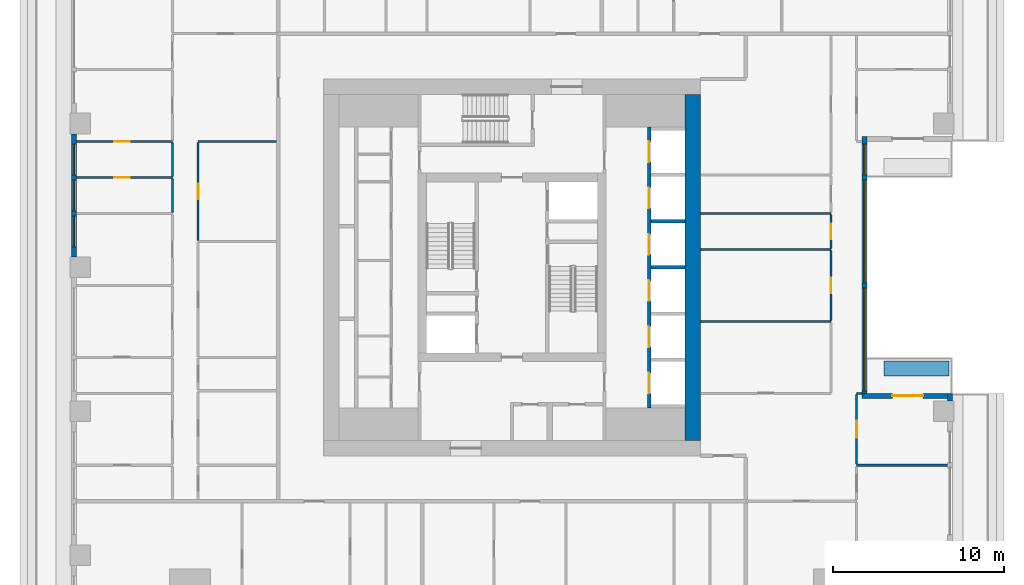
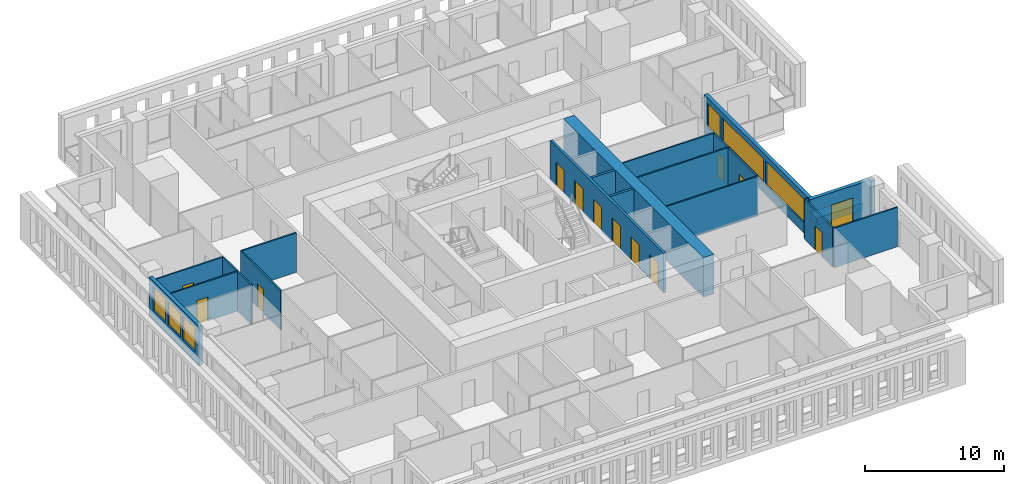
# One storey, part 6 of 16: 23 walls, 13 doors, 6 windows, 19 openings.
"""IFC4 building model written with IfcOpenShell, lengths in metres."""

from ifc_helpers import new_model, si_unit, direction, frame, frame_2d, origin, place, context, subcontext, project, spatial, rectangle, extrude, material, layer, layer_set, type_object, element, fill, save


model = new_model("IFC4")

# Units and contexts
model_context = context("Model", 3, precision=1e-05, world=origin(), true_north=direction((0.0, 1.0)))
body_context = subcontext(model_context, "Body", "Model", "MODEL_VIEW")
ifc_project = project(units=[si_unit("LENGTHUNIT", "METRE"), si_unit("AREAUNIT", "SQUARE_METRE"), si_unit("VOLUMEUNIT", "CUBIC_METRE"), si_unit("PLANEANGLEUNIT", "RADIAN"), si_unit("MASSUNIT", "GRAM", prefix="KILO")], contexts=[model_context])

# Site, building, storey
site_placement = place(None, origin())
site = spatial("IfcSite", under=ifc_project, at=site_placement, CompositionType="ELEMENT")
building_placement = place(site_placement, origin())
building = spatial("IfcBuilding", under=site, at=building_placement, Name="Khepri Terraces", CompositionType="ELEMENT")
storey_placement = place(building_placement, frame((0.0, 0.0, 204.0)))
storey = spatial("IfcBuildingStorey", under=building, at=storey_placement, Name="L48", CompositionType="ELEMENT", Elevation=204.0)

# Wall, openings, doors
ifc_material_1 = material(Name="Concrete C50/60", Category="concrete")
ifc_layer_1 = layer(ifc_material_1, 0.199951171875, Name="Concrete C50/60", Category="concrete")
ifc_layer_set_1 = layer_set([ifc_layer_1], Name="Concrete C50/60")
wall_type_1 = type_object("IfcWallType", Name="Core wall 200 C50/60", PredefinedType="SHEAR", material=ifc_layer_set_1)
wall_1_placement = place(storey_placement, frame((8.0, -8.199951171875, 0.0), z_axis=(0.0, 0.0, 1.0), x_axis=(0.0, 1.0, 0.0)))
wall_1 = element("IfcWall", 1, at=wall_1_placement, inside=storey, type_object=wall_type_1, Name="Core wall SH02 L48", PredefinedType="SHEAR", context=body_context, shape_type="SweptSolid", body=[
    extrude(rectangle(XDim=16.39990234375, YDim=0.199951171875, at=frame_2d((8.199951171875, 0.0))), origin(), (0.0, 0.0, 1.0), 3.47998046875),
])
opening_1_placement = place(wall_1_placement, frame((0.85009765625, 0.0, 0.0)))
opening_1 = element("IfcOpeningElement", 2, at=opening_1_placement, cuts=wall_1, Name="Opening L48-C01", PredefinedType="OPENING", context=body_context, shape_type="SweptSolid", body=[
    extrude(rectangle(XDim=1.199951171875, YDim=2.10009765625, at=frame_2d((0.60009765625, 1.050048828125))), frame((0.0, 0.10986328125, 0.0), z_axis=(0.0, -1.0, 0.0), x_axis=(1.0, 0.0, 0.0)), (0.0, 0.0, 1.0), 0.219970703125),
])
opening_2_placement = place(wall_1_placement, frame((3.550048828125, 0.0, 0.0)))
opening_2 = element("IfcOpeningElement", 3, at=opening_2_placement, cuts=wall_1, Name="Opening L48-C02", PredefinedType="OPENING", context=body_context, shape_type="SweptSolid", body=[
    extrude(rectangle(XDim=1.199951171875, YDim=2.10009765625, at=frame_2d((0.60009765625, 1.050048828125))), frame((0.0, 0.10986328125, 0.0), z_axis=(0.0, -1.0, 0.0), x_axis=(1.0, 0.0, 0.0)), (0.0, 0.0, 1.0), 0.219970703125),
])
opening_3_placement = place(wall_1_placement, frame((6.25, 0.0, 0.0)))
opening_3 = element("IfcOpeningElement", 4, at=opening_3_placement, cuts=wall_1, Name="Opening L48-C03", PredefinedType="OPENING", context=body_context, shape_type="SweptSolid", body=[
    extrude(rectangle(XDim=1.199951171875, YDim=2.10009765625, at=frame_2d((0.60009765625, 1.050048828125))), frame((0.0, 0.10986328125, 0.0), z_axis=(0.0, -1.0, 0.0), x_axis=(1.0, 0.0, 0.0)), (0.0, 0.0, 1.0), 0.219970703125),
])
opening_4_placement = place(wall_1_placement, frame((8.949951171875, 0.0, 0.0)))
opening_4 = element("IfcOpeningElement", 5, at=opening_4_placement, cuts=wall_1, Name="Opening L48-C04", PredefinedType="OPENING", context=body_context, shape_type="SweptSolid", body=[
    extrude(rectangle(XDim=1.199951171875, YDim=2.10009765625, at=frame_2d((0.60009765625, 1.050048828125))), frame((0.0, 0.10986328125, 0.0), z_axis=(0.0, -1.0, 0.0), x_axis=(1.0, 0.0, 0.0)), (0.0, 0.0, 1.0), 0.219970703125),
])
opening_5_placement = place(wall_1_placement, frame((11.64990234375, 0.0, 0.0)))
opening_5 = element("IfcOpeningElement", 6, at=opening_5_placement, cuts=wall_1, Name="Opening L48-C05", PredefinedType="OPENING", context=body_context, shape_type="SweptSolid", body=[
    extrude(rectangle(XDim=1.199951171875, YDim=2.10009765625, at=frame_2d((0.60009765625, 1.050048828125))), frame((0.0, 0.10986328125, 0.0), z_axis=(0.0, -1.0, 0.0), x_axis=(1.0, 0.0, 0.0)), (0.0, 0.0, 1.0), 0.219970703125),
])
opening_6_placement = place(wall_1_placement, frame((14.35009765625, 0.0, 0.0)))
opening_6 = element("IfcOpeningElement", 7, at=opening_6_placement, cuts=wall_1, Name="Opening L48-C06", PredefinedType="OPENING", context=body_context, shape_type="SweptSolid", body=[
    extrude(rectangle(XDim=1.199951171875, YDim=2.10009765625, at=frame_2d((0.60009765625, 1.050048828125))), frame((0.0, 0.10986328125, 0.0), z_axis=(0.0, -1.0, 0.0), x_axis=(1.0, 0.0, 0.0)), (0.0, 0.0, 1.0), 0.219970703125),
])
ifc_material_2 = material(Name="Stainless steel 304", Category="steel")
door_type_1 = type_object("IfcDoorType", Name="DR-CORE-LANDING-1200", OperationType="NOTDEFINED", PredefinedType="DOOR", material=ifc_material_2)
door_1_placement = place(opening_1_placement, origin())
door_1 = element("IfcDoor", 8, at=door_1_placement, inside=storey, type_object=door_type_1, Name="Lift landing door L48-C01", OperationType="SLIDING_TO_LEFT", OverallHeight=2.10009765625, OverallWidth=1.199951171875, PredefinedType="DOOR", context=body_context, shape_type="SweptSolid", body=[
    extrude(rectangle(XDim=1.199951171875, YDim=2.10009765625, at=frame_2d((0.60009765625, 1.050048828125))), frame((0.0, 0.02490234375, 0.0), z_axis=(0.0, -1.0, 0.0), x_axis=(1.0, 0.0, 0.0)), (0.0, 0.0, 1.0), 0.050048828125),
])
fill(opening_1, door_1)
door_2_placement = place(opening_2_placement, origin())
door_2 = element("IfcDoor", 9, at=door_2_placement, inside=storey, type_object=door_type_1, Name="Lift landing door L48-C02", OperationType="SLIDING_TO_LEFT", OverallHeight=2.10009765625, OverallWidth=1.199951171875, PredefinedType="DOOR", context=body_context, shape_type="SweptSolid", body=[
    extrude(rectangle(XDim=1.199951171875, YDim=2.10009765625, at=frame_2d((0.60009765625, 1.050048828125))), frame((0.0, 0.02490234375, 0.0), z_axis=(0.0, -1.0, 0.0), x_axis=(1.0, 0.0, 0.0)), (0.0, 0.0, 1.0), 0.050048828125),
])
fill(opening_2, door_2)
door_3_placement = place(opening_3_placement, origin())
door_3 = element("IfcDoor", 10, at=door_3_placement, inside=storey, type_object=door_type_1, Name="Lift landing door L48-C03", OperationType="SLIDING_TO_LEFT", OverallHeight=2.10009765625, OverallWidth=1.199951171875, PredefinedType="DOOR", context=body_context, shape_type="SweptSolid", body=[
    extrude(rectangle(XDim=1.199951171875, YDim=2.10009765625, at=frame_2d((0.60009765625, 1.050048828125))), frame((0.0, 0.02490234375, 0.0), z_axis=(0.0, -1.0, 0.0), x_axis=(1.0, 0.0, 0.0)), (0.0, 0.0, 1.0), 0.050048828125),
])
fill(opening_3, door_3)
door_4_placement = place(opening_4_placement, origin())
door_4 = element("IfcDoor", 11, at=door_4_placement, inside=storey, type_object=door_type_1, Name="Lift landing door L48-C04", OperationType="SLIDING_TO_LEFT", OverallHeight=2.10009765625, OverallWidth=1.199951171875, PredefinedType="DOOR", context=body_context, shape_type="SweptSolid", body=[
    extrude(rectangle(XDim=1.199951171875, YDim=2.10009765625, at=frame_2d((0.60009765625, 1.050048828125))), frame((0.0, 0.02490234375, 0.0), z_axis=(0.0, -1.0, 0.0), x_axis=(1.0, 0.0, 0.0)), (0.0, 0.0, 1.0), 0.050048828125),
])
fill(opening_4, door_4)
door_5_placement = place(opening_5_placement, origin())
door_5 = element("IfcDoor", 12, at=door_5_placement, inside=storey, type_object=door_type_1, Name="Lift landing door L48-C05", OperationType="SLIDING_TO_LEFT", OverallHeight=2.10009765625, OverallWidth=1.199951171875, PredefinedType="DOOR", context=body_context, shape_type="SweptSolid", body=[
    extrude(rectangle(XDim=1.199951171875, YDim=2.10009765625, at=frame_2d((0.60009765625, 1.050048828125))), frame((0.0, 0.02490234375, 0.0), z_axis=(0.0, -1.0, 0.0), x_axis=(1.0, 0.0, 0.0)), (0.0, 0.0, 1.0), 0.050048828125),
])
fill(opening_5, door_5)
door_6_placement = place(opening_6_placement, origin())
door_6 = element("IfcDoor", 13, at=door_6_placement, inside=storey, type_object=door_type_1, Name="Lift landing door L48-C06", OperationType="SLIDING_TO_LEFT", OverallHeight=2.10009765625, OverallWidth=1.199951171875, PredefinedType="DOOR", context=body_context, shape_type="SweptSolid", body=[
    extrude(rectangle(XDim=1.199951171875, YDim=2.10009765625, at=frame_2d((0.60009765625, 1.050048828125))), frame((0.0, 0.02490234375, 0.0), z_axis=(0.0, -1.0, 0.0), x_axis=(1.0, 0.0, 0.0)), (0.0, 0.0, 1.0), 0.050048828125),
])
fill(opening_6, door_6)

# Walls
for number, where, z_axis, x_axis, name in (
    (14, (8.10009765625, 0.0, 0.0), (0.0, 0.0, 1.0), (1.0, 0.0, 0.0), "Core wall SH09 L48"),
    (15, (8.10009765625, 2.699951171875, 0.0), (0.0, 0.0, 1.0), (1.0, 0.0, 0.0), "Core wall SH13 L48"),
):
    element("IfcWall", number, at=place(storey_placement, frame(where, z_axis=z_axis, x_axis=x_axis)), inside=storey, type_object=wall_type_1, Name=name, PredefinedType="SHEAR", context=body_context, shape_type="SweptSolid", body=[
        extrude(rectangle(XDim=2.0, YDim=0.199951171875, at=frame_2d((1.0, 0.0))), origin(), (0.0, 0.0, 1.0), 3.47998046875),
    ])
ifc_layer_2 = layer(ifc_material_1, 0.89990234375, Name="Concrete C50/60", Category="concrete")
ifc_layer_set_2 = layer_set([ifc_layer_2], Name="Concrete C50/60")
wall_type_2 = type_object("IfcWallType", Name="Core wall 900 C50/60", PredefinedType="SHEAR", material=ifc_layer_set_2)
wall_2_placement = place(storey_placement, frame((10.550048828125, -10.10009765625, 0.0), z_axis=(0.0, 0.0, 1.0), x_axis=(0.0, 1.0, 0.0)))
element("IfcWall", 16, at=wall_2_placement, inside=storey, type_object=wall_type_2, Name="Core wall OW-E L48", PredefinedType="SHEAR", context=body_context, shape_type="SweptSolid", body=[
    extrude(rectangle(XDim=20.2001953125, YDim=0.89990234375, at=frame_2d((10.10009765625, 0.0))), origin(), (0.0, 0.0, 1.0), 3.47998046875),
])
ifc_material_3 = material(Name="Precast concrete C50/60 warm stone", Category="masonry")
ifc_layer_3 = layer(ifc_material_3, 0.300048828125, Name="Precast concrete C50/60 warm stone", Category="masonry")
ifc_layer_set_3 = layer_set([ifc_layer_3], Name="Precast concrete C50/60 warm stone")
wall_type_3 = type_object("IfcWallType", Name="WL-EXT-PRECAST-300", PredefinedType="STANDARD", material=ifc_layer_set_3)
wall_3_placement = place(storey_placement, frame((25.570068359375, -7.800048828125, 0.0), z_axis=(0.0, 0.0, 1.0), x_axis=(0.0, 1.0, 0.0)))
element("IfcWall", 17, at=wall_3_placement, inside=storey, type_object=wall_type_3, Name="External wall L48 E", PredefinedType="STANDARD", context=body_context, shape_type="SweptSolid", body=[
    extrude(rectangle(XDim=0.449951171875, YDim=0.300048828125, at=frame_2d((0.22509765625, 0.0))), origin(), (0.0, 0.0, 1.0), 3.47998046875),
])

# Wall, opening, door
wall_4_placement = place(storey_placement, frame((25.419921875, -7.5, 0.0), z_axis=(0.0, 0.0, 1.0), x_axis=(-1.0, 0.0, 0.0)))
wall_4 = element("IfcWall", 18, at=wall_4_placement, inside=storey, type_object=wall_type_3, Name="External wall L48 N", PredefinedType="STANDARD", context=body_context, shape_type="SweptSolid", body=[
    extrude(rectangle(XDim=5.0, YDim=0.300048828125, at=frame_2d((2.5, 0.0))), origin(), (0.0, 0.0, 1.0), 3.47998046875),
])
opening_7_placement = place(wall_4_placement, frame((1.419921875, 0.0, 0.0)))
opening_7 = element("IfcOpeningElement", 19, at=opening_7_placement, cuts=wall_4, Name="Opening ED-L48-04", PredefinedType="OPENING", context=body_context, shape_type="SweptSolid", body=[
    extrude(rectangle(XDim=1.800048828125, YDim=2.39990234375, at=frame_2d((0.89990234375, 1.199951171875))), frame((0.0, 0.16015625, 0.0), z_axis=(0.0, -1.0, 0.0), x_axis=(1.0, 0.0, 0.0)), (0.0, 0.0, 1.0), 0.320068359375),
])
ifc_material_4 = material(Name="Anodised aluminium bronze glazed door", Category="aluminium")
door_type_2 = type_object("IfcDoorType", Name="DR-BAL-SLIDE-1800x2400", OperationType="NOTDEFINED", PredefinedType="DOOR", material=ifc_material_4)
door_7_placement = place(opening_7_placement, origin())
door_7 = element("IfcDoor", 20, at=door_7_placement, inside=storey, type_object=door_type_2, Name="Balcony door L48 N", OperationType="SLIDING_TO_LEFT", OverallHeight=2.39990234375, OverallWidth=1.800048828125, PredefinedType="DOOR", context=body_context, shape_type="SweptSolid", body=[
    extrude(rectangle(XDim=1.800048828125, YDim=2.39990234375, at=frame_2d((0.89990234375, 1.199951171875))), frame((0.0, 0.02490234375, 0.0), z_axis=(0.0, -1.0, 0.0), x_axis=(1.0, 0.0, 0.0)), (0.0, 0.0, 1.0), 0.050048828125),
])
fill(opening_7, door_7)

# Wall, openings, windows
wall_5_placement = place(storey_placement, frame((20.570068359375, -7.35009765625, 0.0), z_axis=(0.0, 0.0, 1.0), x_axis=(0.0, 1.0, 0.0)))
wall_5 = element("IfcWall", 21, at=wall_5_placement, inside=storey, type_object=wall_type_3, Name="External wall L48 E", PredefinedType="STANDARD", context=body_context, shape_type="SweptSolid", body=[
    extrude(rectangle(XDim=15.0, YDim=0.300048828125, at=frame_2d((7.5, 0.0))), origin(), (0.0, 0.0, 1.0), 3.47998046875),
])
opening_8_placement = place(wall_5_placement, frame((0.14990234375, 0.0, 0.89990234375)))
opening_8 = element("IfcOpeningElement", 22, at=opening_8_placement, cuts=wall_5, Name="Opening W3", PredefinedType="OPENING", context=body_context, shape_type="SweptSolid", body=[
    extrude(rectangle(XDim=6.0, YDim=2.10009765625, at=frame_2d((3.0, 1.050048828125))), frame((0.0, 0.16015625, 0.0), z_axis=(0.0, -1.0, 0.0), x_axis=(1.0, 0.0, 0.0)), (0.0, 0.0, 1.0), 0.320068359375),
])
opening_9_placement = place(wall_5_placement, frame((6.449951171875, 0.0, 0.89990234375)))
opening_9 = element("IfcOpeningElement", 23, at=opening_9_placement, cuts=wall_5, Name="Opening W3", PredefinedType="OPENING", context=body_context, shape_type="SweptSolid", body=[
    extrude(rectangle(XDim=6.0, YDim=2.10009765625, at=frame_2d((3.0, 1.050048828125))), frame((0.0, 0.16015625, 0.0), z_axis=(0.0, -1.0, 0.0), x_axis=(1.0, 0.0, 0.0)), (0.0, 0.0, 1.0), 0.320068359375),
])
opening_10_placement = place(wall_5_placement, frame((12.75, 0.0, 0.89990234375)))
opening_10 = element("IfcOpeningElement", 24, at=opening_10_placement, cuts=wall_5, Name="Opening W1", PredefinedType="OPENING", context=body_context, shape_type="SweptSolid", body=[
    extrude(rectangle(XDim=1.800048828125, YDim=2.10009765625, at=frame_2d((0.89990234375, 1.050048828125))), frame((0.0, 0.16015625, 0.0), z_axis=(0.0, -1.0, 0.0), x_axis=(1.0, 0.0, 0.0)), (0.0, 0.0, 1.0), 0.320068359375),
])
ifc_material_5 = material(Name="Clear glass", Category="glass")
window_type_1 = type_object("IfcWindowType", Name="WIN-RES-1800x2100", PartitioningType="SINGLE_PANEL", PredefinedType="WINDOW", material=ifc_material_5)
window_1_placement = place(opening_10_placement, origin())
window_1 = element("IfcWindow", 25, at=window_1_placement, inside=storey, type_object=window_type_1, Name="Window L48 E", OverallHeight=2.10009765625, OverallWidth=1.800048828125, PartitioningType="SINGLE_PANEL", PredefinedType="WINDOW", context=body_context, shape_type="SweptSolid", body=[
    extrude(rectangle(XDim=1.800048828125, YDim=2.10009765625, at=frame_2d((0.89990234375, 1.050048828125))), frame((0.0, 0.030029296875, 0.0), z_axis=(0.0, -1.0, 0.0), x_axis=(1.0, 0.0, 0.0)), (0.0, 0.0, 1.0), 0.06005859375),
])
fill(opening_10, window_1)
window_type_2 = type_object("IfcWindowType", Name="WIN-RES-6000x2100", PartitioningType="SINGLE_PANEL", PredefinedType="WINDOW", material=ifc_material_5)
window_2_placement = place(opening_8_placement, origin())
window_2 = element("IfcWindow", 26, at=window_2_placement, inside=storey, type_object=window_type_2, Name="Window L48 E", OverallHeight=2.10009765625, OverallWidth=6.0, PartitioningType="SINGLE_PANEL", PredefinedType="WINDOW", context=body_context, shape_type="SweptSolid", body=[
    extrude(rectangle(XDim=6.0, YDim=2.10009765625, at=frame_2d((3.0, 1.050048828125))), frame((0.0, 0.030029296875, 0.0), z_axis=(0.0, -1.0, 0.0), x_axis=(1.0, 0.0, 0.0)), (0.0, 0.0, 1.0), 0.06005859375),
])
fill(opening_8, window_2)
window_3_placement = place(opening_9_placement, origin())
window_3 = element("IfcWindow", 27, at=window_3_placement, inside=storey, type_object=window_type_2, Name="Window L48 E", OverallHeight=2.10009765625, OverallWidth=6.0, PartitioningType="SINGLE_PANEL", PredefinedType="WINDOW", context=body_context, shape_type="SweptSolid", body=[
    extrude(rectangle(XDim=6.0, YDim=2.10009765625, at=frame_2d((3.0, 1.050048828125))), frame((0.0, 0.030029296875, 0.0), z_axis=(0.0, -1.0, 0.0), x_axis=(1.0, 0.0, 0.0)), (0.0, 0.0, 1.0), 0.06005859375),
])
fill(opening_9, window_3)

wall_6_placement = place(storey_placement, frame((-25.570068359375, 7.800048828125, 0.0), z_axis=(0.0, 0.0, 1.0), x_axis=(0.0, -1.0, 0.0)))
wall_6 = element("IfcWall", 28, at=wall_6_placement, inside=storey, type_object=wall_type_3, Name="External wall L48 W", PredefinedType="STANDARD", context=body_context, shape_type="SweptSolid", body=[
    extrude(rectangle(XDim=7.199951171875, YDim=0.300048828125, at=frame_2d((3.60009765625, 0.0))), origin(), (0.0, 0.0, 1.0), 3.47998046875),
])
opening_11_placement = place(wall_6_placement, frame((0.60009765625, 0.0, 0.89990234375)))
opening_11 = element("IfcOpeningElement", 29, at=opening_11_placement, cuts=wall_6, Name="Opening W1", PredefinedType="OPENING", context=body_context, shape_type="SweptSolid", body=[
    extrude(rectangle(XDim=1.800048828125, YDim=2.10009765625, at=frame_2d((0.89990234375, 1.050048828125))), frame((0.0, 0.16015625, 0.0), z_axis=(0.0, -1.0, 0.0), x_axis=(1.0, 0.0, 0.0)), (0.0, 0.0, 1.0), 0.320068359375),
])
opening_12_placement = place(wall_6_placement, frame((2.699951171875, 0.0, 0.89990234375)))
opening_12 = element("IfcOpeningElement", 30, at=opening_12_placement, cuts=wall_6, Name="Opening W1", PredefinedType="OPENING", context=body_context, shape_type="SweptSolid", body=[
    extrude(rectangle(XDim=1.800048828125, YDim=2.10009765625, at=frame_2d((0.89990234375, 1.050048828125))), frame((0.0, 0.16015625, 0.0), z_axis=(0.0, -1.0, 0.0), x_axis=(1.0, 0.0, 0.0)), (0.0, 0.0, 1.0), 0.320068359375),
])
opening_13_placement = place(wall_6_placement, frame((4.800048828125, 0.0, 0.89990234375)))
opening_13 = element("IfcOpeningElement", 31, at=opening_13_placement, cuts=wall_6, Name="Opening W1", PredefinedType="OPENING", context=body_context, shape_type="SweptSolid", body=[
    extrude(rectangle(XDim=1.800048828125, YDim=2.10009765625, at=frame_2d((0.89990234375, 1.050048828125))), frame((0.0, 0.16015625, 0.0), z_axis=(0.0, -1.0, 0.0), x_axis=(1.0, 0.0, 0.0)), (0.0, 0.0, 1.0), 0.320068359375),
])
window_4_placement = place(opening_11_placement, origin())
window_4 = element("IfcWindow", 32, at=window_4_placement, inside=storey, type_object=window_type_1, Name="Window L48 W", OverallHeight=2.10009765625, OverallWidth=1.800048828125, PartitioningType="SINGLE_PANEL", PredefinedType="WINDOW", context=body_context, shape_type="SweptSolid", body=[
    extrude(rectangle(XDim=1.800048828125, YDim=2.10009765625, at=frame_2d((0.89990234375, 1.050048828125))), frame((0.0, 0.030029296875, 0.0), z_axis=(0.0, -1.0, 0.0), x_axis=(1.0, 0.0, 0.0)), (0.0, 0.0, 1.0), 0.06005859375),
])
fill(opening_11, window_4)
window_5_placement = place(opening_12_placement, origin())
window_5 = element("IfcWindow", 33, at=window_5_placement, inside=storey, type_object=window_type_1, Name="Window L48 W", OverallHeight=2.10009765625, OverallWidth=1.800048828125, PartitioningType="SINGLE_PANEL", PredefinedType="WINDOW", context=body_context, shape_type="SweptSolid", body=[
    extrude(rectangle(XDim=1.800048828125, YDim=2.10009765625, at=frame_2d((0.89990234375, 1.050048828125))), frame((0.0, 0.030029296875, 0.0), z_axis=(0.0, -1.0, 0.0), x_axis=(1.0, 0.0, 0.0)), (0.0, 0.0, 1.0), 0.06005859375),
])
fill(opening_12, window_5)
window_6_placement = place(opening_13_placement, origin())
window_6 = element("IfcWindow", 34, at=window_6_placement, inside=storey, type_object=window_type_1, Name="Window L48 W", OverallHeight=2.10009765625, OverallWidth=1.800048828125, PartitioningType="SINGLE_PANEL", PredefinedType="WINDOW", context=body_context, shape_type="SweptSolid", body=[
    extrude(rectangle(XDim=1.800048828125, YDim=2.10009765625, at=frame_2d((0.89990234375, 1.050048828125))), frame((0.0, 0.030029296875, 0.0), z_axis=(0.0, -1.0, 0.0), x_axis=(1.0, 0.0, 0.0)), (0.0, 0.0, 1.0), 0.06005859375),
])
fill(opening_13, window_6)

# Wall
ifc_material_6 = material(Name="Gypsum plasterboard partition")
ifc_layer_4 = layer(ifc_material_6, 0.1201171875, Name="Gypsum plasterboard partition")
ifc_layer_set_4 = layer_set([ifc_layer_4], Name="Gypsum plasterboard partition")
wall_type_4 = type_object("IfcWallType", Name="WL-PART-120", PredefinedType="PARTITIONING", material=ifc_layer_set_4)
wall_7_placement = place(storey_placement, frame((20.1201171875, -11.550048828125, 0.0), z_axis=(0.0, 0.0, 1.0), x_axis=(1.0, 0.0, 0.0)))
element("IfcWall", 35, at=wall_7_placement, inside=storey, type_object=wall_type_4, Name="Partition P-032 L48", PredefinedType="PARTITIONING", context=body_context, shape_type="SweptSolid", body=[
    extrude(rectangle(XDim=5.2998046875, YDim=0.1201171875, at=frame_2d((2.64990234375, 0.0))), origin(), (0.0, 0.0, 1.0), 3.47998046875),
])

# Wall, opening, door
wall_8_placement = place(storey_placement, frame((20.1201171875, -11.489990234375, 0.0), z_axis=(0.0, 0.0, 1.0), x_axis=(0.0, 1.0, 0.0)))
wall_8 = element("IfcWall", 36, at=wall_8_placement, inside=storey, type_object=wall_type_4, Name="Partition P-035 L48", PredefinedType="PARTITIONING", context=body_context, shape_type="SweptSolid", body=[
    extrude(rectangle(XDim=4.080078125, YDim=0.1201171875, at=frame_2d((2.0400390625, 0.0))), origin(), (0.0, 0.0, 1.0), 3.47998046875),
])
opening_14_placement = place(wall_8_placement, frame((1.5400390625, 0.0, 0.0)))
opening_14 = element("IfcOpeningElement", 37, at=opening_14_placement, cuts=wall_8, Name="Opening D2", PredefinedType="OPENING", context=body_context, shape_type="SweptSolid", body=[
    extrude(rectangle(XDim=1.0, YDim=2.10009765625, at=frame_2d((0.5, 1.050048828125))), frame((0.0, 0.070068359375, 0.0), z_axis=(0.0, -1.0, 0.0), x_axis=(1.0, 0.0, 0.0)), (0.0, 0.0, 1.0), 0.14013671875),
])
ifc_material_7 = material(Name="Timber door leaf, living room door", Category="wood")
door_type_3 = type_object("IfcDoorType", Name="DR-INT-1000", OperationType="NOTDEFINED", PredefinedType="DOOR", material=ifc_material_7)
door_8_placement = place(opening_14_placement, frame((1.0, 0.0, 0.0), z_axis=(0.0, 0.0, 1.0), x_axis=(-1.0, 0.0, 0.0)))
door_8 = element("IfcDoor", 38, at=door_8_placement, inside=storey, type_object=door_type_3, Name="Door Sun Lounge", OperationType="SINGLE_SWING_LEFT", OverallHeight=2.10009765625, OverallWidth=1.0, PredefinedType="DOOR", context=body_context, shape_type="SweptSolid", body=[
    extrude(rectangle(XDim=1.0, YDim=2.10009765625, at=frame_2d((0.5, 1.050048828125))), frame((0.0, 0.02490234375, 0.0), z_axis=(0.0, -1.0, 0.0), x_axis=(1.0, 0.0, 0.0)), (0.0, 0.0, 1.0), 0.050048828125),
])
fill(opening_14, door_8)

# Walls
wall_9_placement = place(storey_placement, frame((20.1201171875, -7.35009765625, 0.0), z_axis=(0.0, 0.0, 1.0), x_axis=(1.0, 0.0, 0.0)))
element("IfcWall", 39, at=wall_9_placement, inside=storey, type_object=wall_type_4, Name="Partition P-039 L48", PredefinedType="PARTITIONING", context=body_context, shape_type="SweptSolid", body=[
    extrude(rectangle(XDim=0.2998046875, YDim=0.1201171875, at=frame_2d((0.14990234375, 0.0))), origin(), (0.0, 0.0, 1.0), 3.47998046875),
])
wall_10_placement = place(storey_placement, frame((11.0, -3.14990234375, 0.0), z_axis=(0.0, 0.0, 1.0), x_axis=(1.0, 0.0, 0.0)))
element("IfcWall", 40, at=wall_10_placement, inside=storey, type_object=wall_type_4, Name="Partition P-048 L48", PredefinedType="PARTITIONING", context=body_context, shape_type="SweptSolid", body=[
    extrude(rectangle(XDim=7.6201171875, YDim=0.1201171875, at=frame_2d((3.81005859375, 0.0))), origin(), (0.0, 0.0, 1.0), 3.47998046875),
])

# Wall, opening, door
wall_11_placement = place(storey_placement, frame((18.6201171875, -3.090087890625, 0.0), z_axis=(0.0, 0.0, 1.0), x_axis=(0.0, 1.0, 0.0)))
wall_11 = element("IfcWall", 41, at=wall_11_placement, inside=storey, type_object=wall_type_4, Name="Partition P-049 L48", PredefinedType="PARTITIONING", context=body_context, shape_type="SweptSolid", body=[
    extrude(rectangle(XDim=4.080078125, YDim=0.1201171875, at=frame_2d((2.0400390625, 0.0))), origin(), (0.0, 0.0, 1.0), 3.47998046875),
])
opening_15_placement = place(wall_11_placement, frame((1.590087890625, 0.0, 0.0)))
opening_15 = element("IfcOpeningElement", 42, at=opening_15_placement, cuts=wall_11, Name="Opening D3", PredefinedType="OPENING", context=body_context, shape_type="SweptSolid", body=[
    extrude(rectangle(XDim=0.89990234375, YDim=2.10009765625, at=frame_2d((0.449951171875, 1.050048828125))), frame((0.0, 0.070068359375, 0.0), z_axis=(0.0, -1.0, 0.0), x_axis=(1.0, 0.0, 0.0)), (0.0, 0.0, 1.0), 0.14013671875),
])
ifc_material_8 = material(Name="Timber door leaf", Category="wood")
door_type_4 = type_object("IfcDoorType", Name="DR-INT-900", OperationType="NOTDEFINED", PredefinedType="DOOR", material=ifc_material_8)
door_9_placement = place(opening_15_placement, origin())
door_9 = element("IfcDoor", 43, at=door_9_placement, inside=storey, type_object=door_type_4, Name="Door Staff Bedroom", OperationType="SINGLE_SWING_RIGHT", OverallHeight=2.10009765625, OverallWidth=0.89990234375, PredefinedType="DOOR", context=body_context, shape_type="SweptSolid", body=[
    extrude(rectangle(XDim=0.89990234375, YDim=2.10009765625, at=frame_2d((0.449951171875, 1.050048828125))), frame((0.0, 0.02490234375, 0.0), z_axis=(0.0, -1.0, 0.0), x_axis=(1.0, 0.0, 0.0)), (0.0, 0.0, 1.0), 0.050048828125),
])
fill(opening_15, door_9)

# Wall
wall_12_placement = place(storey_placement, frame((11.0, 1.050048828125, 0.0), z_axis=(0.0, 0.0, 1.0), x_axis=(1.0, 0.0, 0.0)))
element("IfcWall", 44, at=wall_12_placement, inside=storey, type_object=wall_type_4, Name="Partition P-052 L48", PredefinedType="PARTITIONING", context=body_context, shape_type="SweptSolid", body=[
    extrude(rectangle(XDim=7.6201171875, YDim=0.1201171875, at=frame_2d((3.81005859375, 0.0))), origin(), (0.0, 0.0, 1.0), 3.47998046875),
])

# Wall, opening, door
wall_13_placement = place(storey_placement, frame((18.6201171875, 1.110107421875, 0.0), z_axis=(0.0, 0.0, 1.0), x_axis=(0.0, 1.0, 0.0)))
wall_13 = element("IfcWall", 45, at=wall_13_placement, inside=storey, type_object=wall_type_4, Name="Partition P-053 L48", PredefinedType="PARTITIONING", context=body_context, shape_type="SweptSolid", body=[
    extrude(rectangle(XDim=1.97998046875, YDim=0.1201171875, at=frame_2d((0.989990234375, 0.0))), origin(), (0.0, 0.0, 1.0), 3.47998046875),
])
opening_16_placement = place(wall_13_placement, frame((0.5400390625, 0.0, 0.0)))
opening_16 = element("IfcOpeningElement", 46, at=opening_16_placement, cuts=wall_13, Name="Opening D4", PredefinedType="OPENING", context=body_context, shape_type="SweptSolid", body=[
    extrude(rectangle(XDim=0.89990234375, YDim=2.10009765625, at=frame_2d((0.449951171875, 1.050048828125))), frame((0.0, 0.070068359375, 0.0), z_axis=(0.0, -1.0, 0.0), x_axis=(1.0, 0.0, 0.0)), (0.0, 0.0, 1.0), 0.14013671875),
])
ifc_material_9 = material(Name="Timber door leaf, moisture resistant", Category="wood")
door_type_5 = type_object("IfcDoorType", Name="DR-WET-900", OperationType="NOTDEFINED", PredefinedType="DOOR", material=ifc_material_9)
door_10_placement = place(opening_16_placement, origin())
door_10 = element("IfcDoor", 47, at=door_10_placement, inside=storey, type_object=door_type_5, Name="Door Powder Room", OperationType="SINGLE_SWING_RIGHT", OverallHeight=2.10009765625, OverallWidth=0.89990234375, PredefinedType="DOOR", context=body_context, shape_type="SweptSolid", body=[
    extrude(rectangle(XDim=0.89990234375, YDim=2.10009765625, at=frame_2d((0.449951171875, 1.050048828125))), frame((0.0, 0.02490234375, 0.0), z_axis=(0.0, -1.0, 0.0), x_axis=(1.0, 0.0, 0.0)), (0.0, 0.0, 1.0), 0.050048828125),
])
fill(opening_16, door_10)

wall_14_placement = place(storey_placement, frame((-18.320068359375, 1.56005859375, 0.0), z_axis=(0.0, 0.0, 1.0), x_axis=(0.0, 1.0, 0.0)))
wall_14 = element("IfcWall", 48, at=wall_14_placement, inside=storey, type_object=wall_type_4, Name="Partition P-055 L48", PredefinedType="PARTITIONING", context=body_context, shape_type="SweptSolid", body=[
    extrude(rectangle(XDim=5.72998046875, YDim=0.1201171875, at=frame_2d((2.864990234375, 0.0))), origin(), (0.0, 0.0, 1.0), 3.47998046875),
])
opening_17_placement = place(wall_14_placement, frame((2.4150390625, 0.0, 0.0)))
opening_17 = element("IfcOpeningElement", 49, at=opening_17_placement, cuts=wall_14, Name="Opening D3", PredefinedType="OPENING", context=body_context, shape_type="SweptSolid", body=[
    extrude(rectangle(XDim=0.89990234375, YDim=2.10009765625, at=frame_2d((0.449951171875, 1.050048828125))), frame((0.0, 0.070068359375, 0.0), z_axis=(0.0, -1.0, 0.0), x_axis=(1.0, 0.0, 0.0)), (0.0, 0.0, 1.0), 0.14013671875),
])
door_11_placement = place(opening_17_placement, frame((0.89990234375, 0.0, 0.0), z_axis=(0.0, 0.0, 1.0), x_axis=(-1.0, 0.0, 0.0)))
door_11 = element("IfcDoor", 50, at=door_11_placement, inside=storey, type_object=door_type_4, Name="Door Kitchen", OperationType="SINGLE_SWING_RIGHT", OverallHeight=2.10009765625, OverallWidth=0.89990234375, PredefinedType="DOOR", context=body_context, shape_type="SweptSolid", body=[
    extrude(rectangle(XDim=0.89990234375, YDim=2.10009765625, at=frame_2d((0.449951171875, 1.050048828125))), frame((0.0, 0.02490234375, 0.0), z_axis=(0.0, -1.0, 0.0), x_axis=(1.0, 0.0, 0.0)), (0.0, 0.0, 1.0), 0.050048828125),
])
fill(opening_17, door_11)

# Walls
wall_15_placement = place(storey_placement, frame((11.0, 3.14990234375, 0.0), z_axis=(0.0, 0.0, 1.0), x_axis=(1.0, 0.0, 0.0)))
element("IfcWall", 51, at=wall_15_placement, inside=storey, type_object=wall_type_4, Name="Partition P-057 L48", PredefinedType="PARTITIONING", context=body_context, shape_type="SweptSolid", body=[
    extrude(rectangle(XDim=7.6201171875, YDim=0.1201171875, at=frame_2d((3.81005859375, 0.0))), origin(), (0.0, 0.0, 1.0), 3.47998046875),
])
wall_16_placement = place(storey_placement, frame((-19.820068359375, 3.2099609375, 0.0), z_axis=(0.0, 0.0, 1.0), x_axis=(0.0, 1.0, 0.0)))
element("IfcWall", 52, at=wall_16_placement, inside=storey, type_object=wall_type_4, Name="Partition P-058 L48", PredefinedType="PARTITIONING", context=body_context, shape_type="SweptSolid", body=[
    extrude(rectangle(XDim=1.97998046875, YDim=0.1201171875, at=frame_2d((0.989990234375, 0.0))), origin(), (0.0, 0.0, 1.0), 3.47998046875),
])

# Wall, opening, door
wall_17_placement = place(storey_placement, frame((-25.419921875, 5.25, 0.0), z_axis=(0.0, 0.0, 1.0), x_axis=(1.0, 0.0, 0.0)))
wall_17 = element("IfcWall", 53, at=wall_17_placement, inside=storey, type_object=wall_type_4, Name="Partition P-060 L48", PredefinedType="PARTITIONING", context=body_context, shape_type="SweptSolid", body=[
    extrude(rectangle(XDim=5.599853515625, YDim=0.1201171875, at=frame_2d((2.7998046875, 0.0))), origin(), (0.0, 0.0, 1.0), 3.47998046875),
])
opening_18_placement = place(wall_17_placement, frame((2.199951171875, 0.0, 0.0)))
opening_18 = element("IfcOpeningElement", 54, at=opening_18_placement, cuts=wall_17, Name="Opening D4", PredefinedType="OPENING", context=body_context, shape_type="SweptSolid", body=[
    extrude(rectangle(XDim=0.89990234375, YDim=2.10009765625, at=frame_2d((0.449951171875, 1.050048828125))), frame((0.0, 0.070068359375, 0.0), z_axis=(0.0, -1.0, 0.0), x_axis=(1.0, 0.0, 0.0)), (0.0, 0.0, 1.0), 0.14013671875),
])
door_12_placement = place(opening_18_placement, frame((0.89990234375, 0.0, 0.0), z_axis=(0.0, 0.0, 1.0), x_axis=(-1.0, 0.0, 0.0)))
door_12 = element("IfcDoor", 55, at=door_12_placement, inside=storey, type_object=door_type_5, Name="Door Bathroom", OperationType="SINGLE_SWING_RIGHT", OverallHeight=2.10009765625, OverallWidth=0.89990234375, PredefinedType="DOOR", context=body_context, shape_type="SweptSolid", body=[
    extrude(rectangle(XDim=0.89990234375, YDim=2.10009765625, at=frame_2d((0.449951171875, 1.050048828125))), frame((0.0, 0.02490234375, 0.0), z_axis=(0.0, -1.0, 0.0), x_axis=(1.0, 0.0, 0.0)), (0.0, 0.0, 1.0), 0.050048828125),
])
fill(opening_18, door_12)

# Wall
wall_18_placement = place(storey_placement, frame((-19.820068359375, 5.31005859375, 0.0), z_axis=(0.0, 0.0, 1.0), x_axis=(0.0, 1.0, 0.0)))
element("IfcWall", 56, at=wall_18_placement, inside=storey, type_object=wall_type_4, Name="Partition P-061 L48", PredefinedType="PARTITIONING", context=body_context, shape_type="SweptSolid", body=[
    extrude(rectangle(XDim=1.97998046875, YDim=0.1201171875, at=frame_2d((0.989990234375, 0.0))), origin(), (0.0, 0.0, 1.0), 3.47998046875),
])

# Wall, opening, door
wall_19_placement = place(storey_placement, frame((-25.419921875, 7.35009765625, 0.0), z_axis=(0.0, 0.0, 1.0), x_axis=(1.0, 0.0, 0.0)))
wall_19 = element("IfcWall", 57, at=wall_19_placement, inside=storey, type_object=wall_type_4, Name="Partition P-064 L48", PredefinedType="PARTITIONING", context=body_context, shape_type="SweptSolid", body=[
    extrude(rectangle(XDim=5.599853515625, YDim=0.1201171875, at=frame_2d((2.7998046875, 0.0))), origin(), (0.0, 0.0, 1.0), 3.47998046875),
])
opening_19_placement = place(wall_19_placement, frame((2.199951171875, 0.0, 0.0)))
opening_19 = element("IfcOpeningElement", 58, at=opening_19_placement, cuts=wall_19, Name="Opening D3", PredefinedType="OPENING", context=body_context, shape_type="SweptSolid", body=[
    extrude(rectangle(XDim=0.89990234375, YDim=2.10009765625, at=frame_2d((0.449951171875, 1.050048828125))), frame((0.0, 0.070068359375, 0.0), z_axis=(0.0, -1.0, 0.0), x_axis=(1.0, 0.0, 0.0)), (0.0, 0.0, 1.0), 0.14013671875),
])
door_13_placement = place(opening_19_placement, frame((0.89990234375, 0.0, 0.0), z_axis=(0.0, 0.0, 1.0), x_axis=(-1.0, 0.0, 0.0)))
door_13 = element("IfcDoor", 59, at=door_13_placement, inside=storey, type_object=door_type_4, Name="Door Dressing Room", OperationType="SINGLE_SWING_RIGHT", OverallHeight=2.10009765625, OverallWidth=0.89990234375, PredefinedType="DOOR", context=body_context, shape_type="SweptSolid", body=[
    extrude(rectangle(XDim=0.89990234375, YDim=2.10009765625, at=frame_2d((0.449951171875, 1.050048828125))), frame((0.0, 0.02490234375, 0.0), z_axis=(0.0, -1.0, 0.0), x_axis=(1.0, 0.0, 0.0)), (0.0, 0.0, 1.0), 0.050048828125),
])
fill(opening_19, door_13)

# Walls
wall_20_placement = place(storey_placement, frame((-18.320068359375, 7.35009765625, 0.0), z_axis=(0.0, 0.0, 1.0), x_axis=(1.0, 0.0, 0.0)))
element("IfcWall", 60, at=wall_20_placement, inside=storey, type_object=wall_type_4, Name="Partition P-065 L48", PredefinedType="PARTITIONING", context=body_context, shape_type="SweptSolid", body=[
    extrude(rectangle(XDim=4.570068359375, YDim=0.1201171875, at=frame_2d((2.28515625, 0.0))), origin(), (0.0, 0.0, 1.0), 3.47998046875),
])
ifc_layer_5 = layer(ifc_material_3, 0.89990234375, Name="Precast concrete C50/60 warm stone", Category="masonry")
ifc_layer_set_5 = layer_set([ifc_layer_5], Name="Precast concrete C50/60 warm stone")
wall_type_5 = type_object("IfcWallType", Name="WL-PLANTER-900", PredefinedType="MOVABLE", material=ifc_layer_set_5)
wall_21_placement = place(storey_placement, frame((21.719970703125, -5.89990234375, 0.0), z_axis=(0.0, 0.0, 1.0), x_axis=(1.0, 0.0, 0.0)))
element("IfcWall", 61, at=wall_21_placement, inside=storey, type_object=wall_type_5, Name="Planter L48", PredefinedType="MOVABLE", context=body_context, shape_type="SweptSolid", body=[
    extrude(rectangle(XDim=3.800048828125, YDim=0.89990234375, at=frame_2d((1.89990234375, 0.0))), origin(), (0.0, 0.0, 1.0), 0.60009765625),
])

save(model, "model.ifc")
